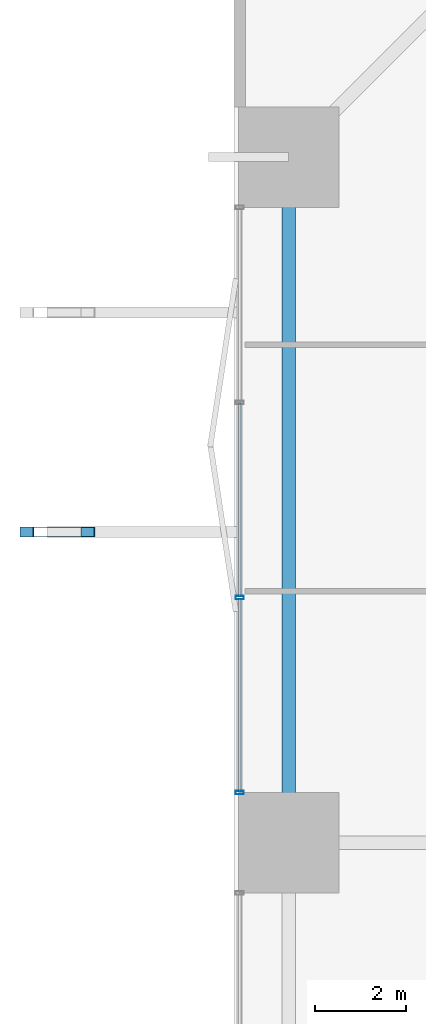
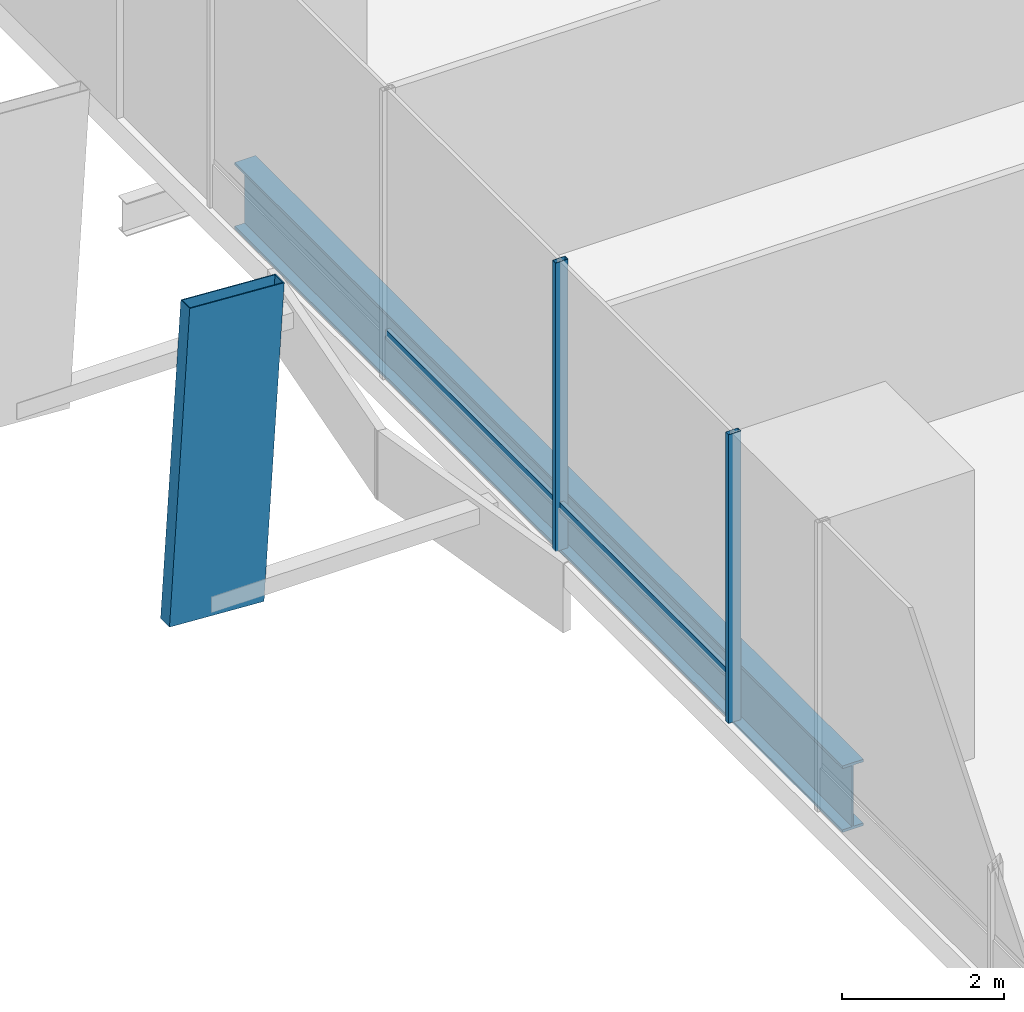
# One storey, part 9 of 24: 5 members, 1 beam, 1 element without a shape of its own.
"""IFC4 building model written with IfcOpenShell, lengths in metres."""

from ifc_helpers import new_model, si_unit, direction, frame, origin, origin_2d, place, context, subcontext, project, spatial, hollow_rectangle, i_section, extrude, material, layer, layer_set, material_profile, profile_set, type_object, element, aggregate, save


model = new_model("IFC4")

# Units and contexts
model_context = context("Model", 3, precision=1e-05, world=origin(), true_north=direction((0.0, 1.0)))
body_context = subcontext(model_context, "Body", "Model", "MODEL_VIEW")
ifc_project = project(units=[si_unit("LENGTHUNIT", "METRE"), si_unit("AREAUNIT", "SQUARE_METRE"), si_unit("VOLUMEUNIT", "CUBIC_METRE"), si_unit("PLANEANGLEUNIT", "RADIAN"), si_unit("MASSUNIT", "GRAM", prefix="KILO")], contexts=[model_context])

# Site, building, storey
site_placement = place(None, origin())
site = spatial("IfcSite", under=ifc_project, at=site_placement, CompositionType="ELEMENT")
building_placement = place(site_placement, origin())
building = spatial("IfcBuilding", under=site, at=building_placement, Name="Belovzor Exchange Tower", CompositionType="ELEMENT")
storey_placement = place(building_placement, frame((0.0, 0.0, 19.199951171875)))
storey = spatial("IfcBuildingStorey", under=building, at=storey_placement, Name="L04", CompositionType="ELEMENT", Elevation=19.199951171875)

# Member
ifc_material_1 = material(Name="Extruded Architectural Terracotta on Steel S355 Carrier", Category="masonry")
ifc_material_profile_1 = material_profile(ifc_material_1, hollow_rectangle(XDim=0.219970703125, YDim=1.35009765625, WallThickness=0.013916015625, at=origin_2d()))
ifc_profile_set_1 = profile_set([ifc_material_profile_1], Name="Extruded Architectural Terracotta on Steel S355 Carrier")
member_type_1 = type_object("IfcMemberType", Name="Base Arc Sweeping Terracotta Pylon Fin 1450", PredefinedType="USERDEFINED", material=ifc_profile_set_1)
member_1_placement = place(storey_placement, frame((-3.402099609375, 35.60009765625, -0.349853515625), z_axis=(0.061387304598, 0.0, 0.998114020959), x_axis=(0.0, 1.0, 0.0)))
element("IfcMember", 1, at=member_1_placement, inside=storey, type_object=member_type_1, Name="FIN-TC145 Terracotta Facade Fin L04 W3", ObjectType="FIN", PredefinedType="USERDEFINED", context=body_context, shape_type="SweptSolid", body=[
    extrude(hollow_rectangle(XDim=0.219970703125, YDim=1.35009765625, WallThickness=0.013916015625, at=origin_2d()), origin(), (0.0, 0.0, 1.0), 4.708740234375),
])

# Beam
ifc_material_2 = material(Name="Steel S460", Category="steel")
ifc_material_profile_2 = material_profile(ifc_material_2, i_section(OverallWidth=0.300048828125, OverallDepth=1.0, WebThickness=0.02099609375, FlangeThickness=0.0400390625, at=origin_2d()))
ifc_profile_set_2 = profile_set([ifc_material_profile_2], Name="Steel S460")
beam_type = type_object("IfcBeamType", Name="Podium Exchange Hall Ring Girder HEM 1000", PredefinedType="BEAM", material=ifc_profile_set_2)
beam_placement = place(storey_placement, frame((1.800048828125, 43.800048828125, -0.849853515625), z_axis=(0.0, -1.0, 0.0), x_axis=(1.0, 0.0, 0.0)))
element("IfcBeam", 2, at=beam_placement, inside=storey, type_object=beam_type, Name="PG-1 Podium Exchange Hall Ring Girder HEM 1000", PredefinedType="BEAM", context=body_context, shape_type="SweptSolid", body=[
    extrude(i_section(OverallWidth=0.300048828125, OverallDepth=1.0, WebThickness=0.02099609375, FlangeThickness=0.0400390625, at=origin_2d()), origin(), (0.0, 0.0, 1.0), 15.0),
])

# Curtain wall, members
ifc_material_3 = material(Name="Anodised Aluminium Framing", Category="aluminium")
ifc_layer = layer(ifc_material_3, 0.2099609375)
ifc_layer_set = layer_set([ifc_layer], Name="Anodised Aluminium Framing")
curtain_wall_type = type_object("IfcCurtainWallType", Name="Double-Height Concourse & Gallery Curtain Wall", PredefinedType="NOTDEFINED", material=ifc_layer_set)
curtain_wall_placement = place(storey_placement, origin())
curtain_wall = element("IfcCurtainWall", 3, at=curtain_wall_placement, inside=storey, type_object=curtain_wall_type, Name="CW2 Double-Height Concourse & Gallery Curtain Wall L04", PredefinedType="NOTDEFINED")
ifc_material_4 = material(Name="Steel S355", Category="steel")
ifc_material_profile_3 = material_profile(ifc_material_4, hollow_rectangle(XDim=0.074951171875, YDim=0.179931640625, WallThickness=0.0048828125, at=origin_2d()))
ifc_profile_set_3 = profile_set([ifc_material_profile_3], Name="Steel S355")
member_type_2 = type_object("IfcMemberType", Name="Thermally Broken Curtain Wall Mullion 180x75", PredefinedType="MULLION", material=ifc_profile_set_3)
member_2_placement = place(storey_placement, frame((0.72998046875, 29.89990234375, 0.0), z_axis=(0.0, 0.0, 1.0), x_axis=(0.0, 1.0, 0.0)))
member_2 = element("IfcMember", 4, at=member_2_placement, type_object=member_type_2, Name="CW-M180 Curtain Wall Mullion 1", PredefinedType="MULLION", context=body_context, shape_type="SweptSolid", body=[
    extrude(hollow_rectangle(XDim=0.074951171875, YDim=0.179931640625, WallThickness=0.0048828125, at=origin_2d()), origin(), (0.0, 0.0, 1.0), 4.35009765625),
])
member_3_placement = place(storey_placement, frame((0.72998046875, 34.1669921875, 0.0), z_axis=(0.0, 0.0, 1.0), x_axis=(0.0, 1.0, 0.0)))
member_3 = element("IfcMember", 5, at=member_3_placement, type_object=member_type_2, Name="CW-M180 Curtain Wall Mullion 2", PredefinedType="MULLION", context=body_context, shape_type="SweptSolid", body=[
    extrude(hollow_rectangle(XDim=0.074951171875, YDim=0.179931640625, WallThickness=0.0048828125, at=origin_2d()), origin(), (0.0, 0.0, 1.0), 4.35009765625),
])
ifc_material_5 = material(Name="Steel S355", Category="steel")
ifc_material_profile_4 = material_profile(ifc_material_5, hollow_rectangle(XDim=0.06005859375, YDim=0.14990234375, WallThickness=0.00390625, at=origin_2d()))
ifc_profile_set_4 = profile_set([ifc_material_profile_4], Name="Steel S355")
member_type_3 = type_object("IfcMemberType", Name="Thermally Broken Curtain Wall Transom 150x60", PredefinedType="USERDEFINED", material=ifc_profile_set_4)
member_4_placement = place(storey_placement, frame((0.72998046875, 29.907958984375, 0.650146484375), z_axis=(0.0, 1.0, 0.0), x_axis=(-1.0, 0.0, 0.0)))
member_4 = element("IfcMember", 6, at=member_4_placement, type_object=member_type_3, Name="CW-T150 Curtain Wall Transom 1", ObjectType="TRANSOM", PredefinedType="USERDEFINED", context=body_context, shape_type="SweptSolid", body=[
    extrude(hollow_rectangle(XDim=0.06005859375, YDim=0.14990234375, WallThickness=0.00390625, at=origin_2d()), origin(), (0.0, 0.0, 1.0), 4.2509765625),
])
member_5_placement = place(storey_placement, frame((0.72998046875, 34.175048828125, 0.650146484375), z_axis=(0.0, 1.0, 0.0), x_axis=(-1.0, 0.0, 0.0)))
member_5 = element("IfcMember", 7, at=member_5_placement, type_object=member_type_3, Name="CW-T150 Curtain Wall Transom 2", ObjectType="TRANSOM", PredefinedType="USERDEFINED", context=body_context, shape_type="SweptSolid", body=[
    extrude(hollow_rectangle(XDim=0.06005859375, YDim=0.14990234375, WallThickness=0.00390625, at=origin_2d()), origin(), (0.0, 0.0, 1.0), 4.25),
])
aggregate(curtain_wall, [member_2, member_3, member_4, member_5])

save(model, "model.ifc")
